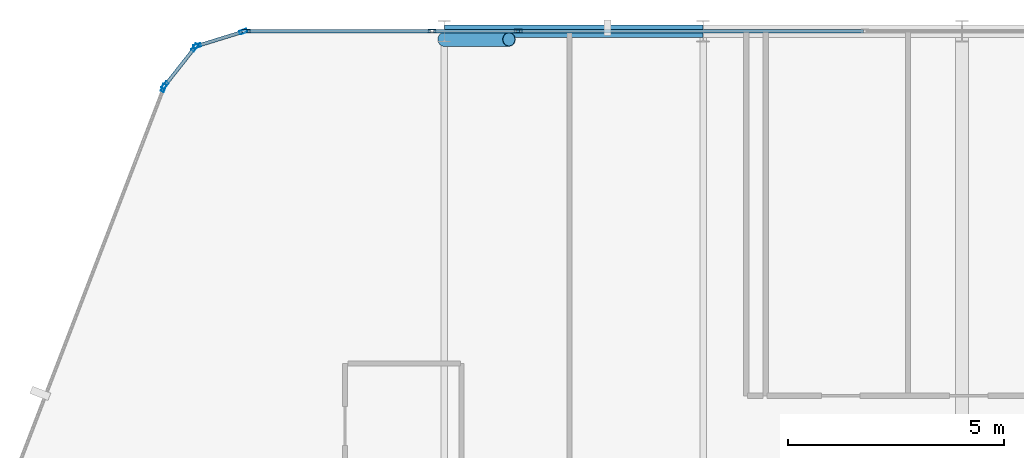
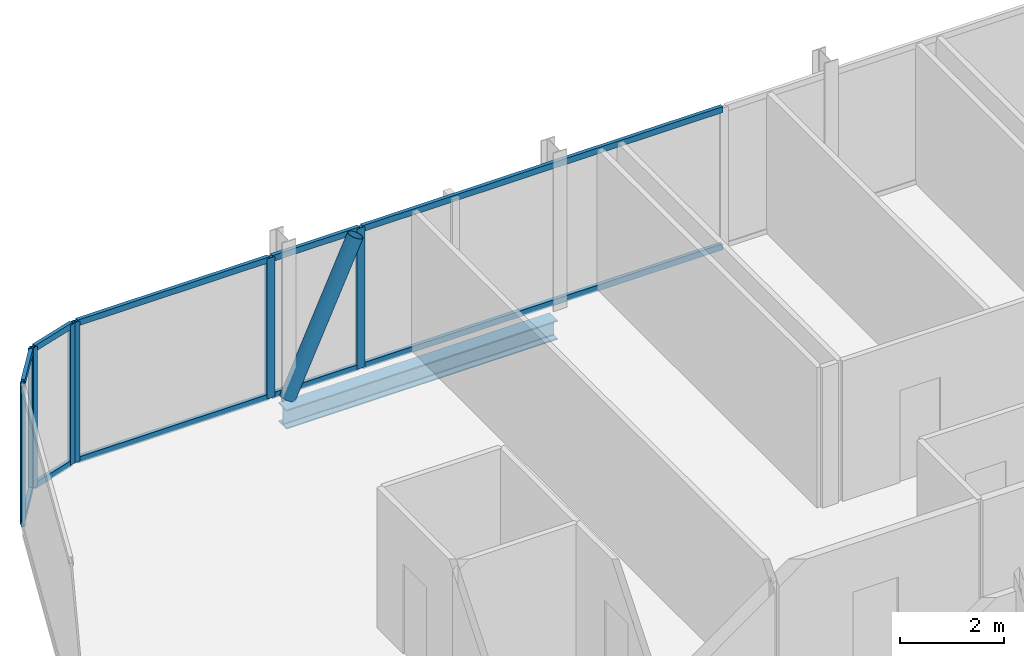
# One storey, part 17 of 31: 19 members, 1 beam, 6 elements without a shape of their own.
"""IFC4 building model written with IfcOpenShell, lengths in metres."""

from ifc_helpers import new_model, si_unit, direction, frame, origin, origin_2d, place, context, subcontext, project, spatial, hollow_rectangle, hollow_circle, i_section, extrude, material, layer, layer_set, material_profile, profile_set, type_object, element, aggregate, save


model = new_model("IFC4")

# Units and contexts
model_context = context("Model", 3, precision=1e-05, world=origin(), true_north=direction((0.0, 1.0)))
body_context = subcontext(model_context, "Body", "Model", "MODEL_VIEW")
ifc_project = project(units=[si_unit("LENGTHUNIT", "METRE"), si_unit("AREAUNIT", "SQUARE_METRE"), si_unit("VOLUMEUNIT", "CUBIC_METRE"), si_unit("PLANEANGLEUNIT", "RADIAN"), si_unit("MASSUNIT", "GRAM", prefix="KILO")], contexts=[model_context])

# Site, building, storey
site_placement = place(None, origin())
site = spatial("IfcSite", under=ifc_project, at=site_placement, CompositionType="ELEMENT")
building_placement = place(site_placement, origin())
building = spatial("IfcBuilding", under=site, at=building_placement, Name="Keshet Zoharim Tower", CompositionType="ELEMENT")
storey_placement = place(building_placement, frame((0.0, 0.0, 155.699951171875)))
storey = spatial("IfcBuildingStorey", under=building, at=storey_placement, Name="L38", CompositionType="ELEMENT", Elevation=155.699951171875)

# Beam
ifc_material_1 = material(Name="Steel S355", Category="steel")
ifc_material_profile_1 = material_profile(ifc_material_1, i_section(OverallWidth=0.300048828125, OverallDepth=0.449951171875, WebThickness=0.013916015625, FlangeThickness=0.02587890625, FilletRadius=0.027099609375, at=origin_2d()), Name="HEB450")
ifc_profile_set_1 = profile_set([ifc_material_profile_1], Name="Steel S355")
beam_type = type_object("IfcBeamType", Name="BM-WEB-HB450", PredefinedType="BEAM", material=ifc_profile_set_1)
beam_placement = place(storey_placement, frame((21.0, 53.89990234375, -0.5400390625), z_axis=(1.0, 0.0, 0.0), x_axis=(0.0, 1.0, 0.0)))
element("IfcBeam", 1, at=beam_placement, inside=storey, type_object=beam_type, Name="L38 Primary Girder X-020", PredefinedType="BEAM", context=body_context, shape_type="SweptSolid", body=[
    extrude(i_section(OverallWidth=0.300048828125, OverallDepth=0.449951171875, WebThickness=0.013916015625, FlangeThickness=0.02587890625, FilletRadius=0.027099609375, at=origin_2d()), origin(), (0.0, 0.0, 1.0), 6.0),
])

# Curtain wall, member
ifc_material_2 = material(Name="Aluminium 6063-T6", Category="aluminium")
ifc_layer = layer(ifc_material_2, 0.159912109375)
ifc_layer_set = layer_set([ifc_layer], Name="Aluminium 6063-T6")
curtain_wall_type = type_object("IfcCurtainWallType", Name="CW-SYS-03", PredefinedType="NOTDEFINED", material=ifc_layer_set)
curtain_wall_1_placement = place(storey_placement, origin())
curtain_wall_1 = element("IfcCurtainWall", 2, at=curtain_wall_1_placement, inside=storey, type_object=curtain_wall_type, Name="L38 Unitised Curtain Wall 10", PredefinedType="NOTDEFINED")
ifc_material_profile_2 = material_profile(ifc_material_2, hollow_rectangle(XDim=0.080078125, YDim=0.179931640625, WallThickness=0.00439453125, at=origin_2d()), Name="MUL-80x180")
ifc_profile_set_2 = profile_set([ifc_material_profile_2], Name="Aluminium 6063-T6")
member_type_1 = type_object("IfcMemberType", Name="CWM-M18", PredefinedType="MULLION", material=ifc_profile_set_2)
member_1_placement = place(storey_placement, frame((14.494384765625, 52.58544921875, 0.0), z_axis=(0.0, 0.0, 1.0), x_axis=(-0.933341404361, 0.358990003907, 0.0)))
member_1 = element("IfcMember", 3, at=member_1_placement, type_object=member_type_1, Name="CW-03 mullion 4", PredefinedType="MULLION", context=body_context, shape_type="SweptSolid", body=[
    extrude(hollow_rectangle(XDim=0.080078125, YDim=0.179931640625, WallThickness=0.00439453125, at=origin_2d()), origin(), (0.0, 0.0, 1.0), 3.280029296875),
])
aggregate(curtain_wall_1, [member_1])

# Curtain wall, members
curtain_wall_2_placement = place(storey_placement, origin())
curtain_wall_2 = element("IfcCurtainWall", 4, at=curtain_wall_2_placement, inside=storey, type_object=curtain_wall_type, Name="L38 Unitised Curtain Wall 11", PredefinedType="NOTDEFINED")
member_2_placement = place(storey_placement, frame((14.528564453125, 52.6455078125, 0.0), z_axis=(0.0, 0.0, 1.0), x_axis=(-0.785292825205, 0.619124525989, 0.0)))
member_2 = element("IfcMember", 5, at=member_2_placement, type_object=member_type_1, Name="CW-03 mullion 1", PredefinedType="MULLION", context=body_context, shape_type="SweptSolid", body=[
    extrude(hollow_rectangle(XDim=0.080078125, YDim=0.179931640625, WallThickness=0.00439453125, at=origin_2d()), origin(), (0.0, 0.0, 1.0), 3.280029296875),
])
member_3_placement = place(storey_placement, frame((15.21923828125, 53.521484375, 0.0), z_axis=(0.0, 0.0, 1.0), x_axis=(-0.785292825205, 0.619124525989, 0.0)))
member_3 = element("IfcMember", 6, at=member_3_placement, type_object=member_type_1, Name="CW-03 mullion 2", PredefinedType="MULLION", context=body_context, shape_type="SweptSolid", body=[
    extrude(hollow_rectangle(XDim=0.080078125, YDim=0.179931640625, WallThickness=0.00439453125, at=origin_2d()), origin(), (0.0, 0.0, 1.0), 3.280029296875),
])

curtain_wall_3_placement = place(storey_placement, origin())
curtain_wall_3 = element("IfcCurtainWall", 7, at=curtain_wall_3_placement, inside=storey, type_object=curtain_wall_type, Name="L38 Unitised Curtain Wall 12", PredefinedType="NOTDEFINED")
member_4_placement = place(storey_placement, frame((15.2744140625, 53.559326171875, 0.0), z_axis=(0.0, 0.0, 1.0), x_axis=(-0.295921857984, 0.955212151288, 0.0)))
member_4 = element("IfcMember", 8, at=member_4_placement, type_object=member_type_1, Name="CW-03 mullion 1", PredefinedType="MULLION", context=body_context, shape_type="SweptSolid", body=[
    extrude(hollow_rectangle(XDim=0.080078125, YDim=0.179931640625, WallThickness=0.00439453125, at=origin_2d()), origin(), (0.0, 0.0, 1.0), 3.280029296875),
])
member_5_placement = place(storey_placement, frame((16.340576171875, 53.8896484375, 0.0), z_axis=(0.0, 0.0, 1.0), x_axis=(-0.295921857984, 0.955212151288, 0.0)))
member_5 = element("IfcMember", 9, at=member_5_placement, type_object=member_type_1, Name="CW-03 mullion 2", PredefinedType="MULLION", context=body_context, shape_type="SweptSolid", body=[
    extrude(hollow_rectangle(XDim=0.080078125, YDim=0.179931640625, WallThickness=0.00439453125, at=origin_2d()), origin(), (0.0, 0.0, 1.0), 3.280029296875),
])

curtain_wall_4_placement = place(storey_placement, origin())
curtain_wall_4 = element("IfcCurtainWall", 10, at=curtain_wall_4_placement, inside=storey, type_object=curtain_wall_type, Name="L38 Unitised Curtain Wall 13", PredefinedType="NOTDEFINED")
member_6_placement = place(storey_placement, frame((16.408935546875, 53.89990234375, 0.0), z_axis=(0.0, 0.0, 1.0), x_axis=(0.0, 1.0, 0.0)))
member_6 = element("IfcMember", 11, at=member_6_placement, type_object=member_type_1, Name="CW-03 mullion 1", PredefinedType="MULLION", context=body_context, shape_type="SweptSolid", body=[
    extrude(hollow_rectangle(XDim=0.080078125, YDim=0.179931640625, WallThickness=0.00439453125, at=origin_2d()), origin(), (0.0, 0.0, 1.0), 3.280029296875),
])
member_7_placement = place(storey_placement, frame((20.7177734375, 53.89990234375, 0.0), z_axis=(0.0, 0.0, 1.0), x_axis=(0.0, 1.0, 0.0)))
member_7 = element("IfcMember", 12, at=member_7_placement, type_object=member_type_1, Name="CW-03 mullion 2", PredefinedType="MULLION", context=body_context, shape_type="SweptSolid", body=[
    extrude(hollow_rectangle(XDim=0.080078125, YDim=0.179931640625, WallThickness=0.00439453125, at=origin_2d()), origin(), (0.0, 0.0, 1.0), 3.280029296875),
])

# Curtain wall, member
curtain_wall_5_placement = place(storey_placement, origin())
curtain_wall_5 = element("IfcCurtainWall", 13, at=curtain_wall_5_placement, inside=storey, type_object=curtain_wall_type, Name="L38 Unitised Curtain Wall 13 Part 2", PredefinedType="NOTDEFINED")
member_8_placement = place(storey_placement, frame((22.71240234375, 53.89990234375, 0.0), z_axis=(0.0, 0.0, 1.0), x_axis=(0.0, 1.0, 0.0)))
member_8 = element("IfcMember", 14, at=member_8_placement, type_object=member_type_1, Name="CW-03 mullion 2", PredefinedType="MULLION", context=body_context, shape_type="SweptSolid", body=[
    extrude(hollow_rectangle(XDim=0.080078125, YDim=0.179931640625, WallThickness=0.00439453125, at=origin_2d()), origin(), (0.0, 0.0, 1.0), 3.280029296875),
])

# Member
ifc_material_profile_3 = material_profile(ifc_material_2, hollow_rectangle(XDim=0.080078125, YDim=0.139892578125, WallThickness=0.00390625, at=origin_2d()), Name="TRN-80x140")
ifc_profile_set_3 = profile_set([ifc_material_profile_3], Name="Aluminium 6063-T6")
member_type_2 = type_object("IfcMemberType", Name="CWT-T14", PredefinedType="USERDEFINED", material=ifc_profile_set_3)
member_9_placement = place(storey_placement, frame((14.55029296875, 52.6728515625, 0.03515625), z_axis=(0.619099165969, 0.78531281837, 0.0), x_axis=(-0.78531281837, 0.619099165969, 0.0)))
member_9 = element("IfcMember", 15, at=member_9_placement, type_object=member_type_2, Name="CW-03 transom 1.1", ObjectType="TRANSOM", PredefinedType="USERDEFINED", context=body_context, shape_type="SweptSolid", body=[
    extrude(hollow_rectangle(XDim=0.080078125, YDim=0.139892578125, WallThickness=0.00390625, at=origin_2d()), origin(), (0.0, 0.0, 1.0), 1.0458984375),
])

member_10_placement = place(storey_placement, frame((14.55029296875, 52.6728515625, 3.2451171875), z_axis=(0.619099165969, 0.78531281837, 0.0), x_axis=(-0.78531281837, 0.619099165969, 0.0)))
member_10 = element("IfcMember", 16, at=member_10_placement, type_object=member_type_2, Name="CW-03 transom 1.2", ObjectType="TRANSOM", PredefinedType="USERDEFINED", context=body_context, shape_type="SweptSolid", body=[
    extrude(hollow_rectangle(XDim=0.080078125, YDim=0.139892578125, WallThickness=0.00390625, at=origin_2d()), origin(), (0.0, 0.0, 1.0), 1.0458984375),
])

aggregate(curtain_wall_2, [member_2, member_3, member_9, member_10])

member_11_placement = place(storey_placement, frame((15.307861328125, 53.56982421875, 0.03515625), z_axis=(0.955212093062, 0.295922045933, 0.0), x_axis=(-0.295922045933, 0.955212093062, 0.0)))
member_11 = element("IfcMember", 17, at=member_11_placement, type_object=member_type_2, Name="CW-03 transom 1.1", ObjectType="TRANSOM", PredefinedType="USERDEFINED", context=body_context, shape_type="SweptSolid", body=[
    extrude(hollow_rectangle(XDim=0.080078125, YDim=0.139892578125, WallThickness=0.00390625, at=origin_2d()), origin(), (0.0, 0.0, 1.0), 1.046142578125),
])

member_12_placement = place(storey_placement, frame((15.307861328125, 53.56982421875, 3.2451171875), z_axis=(0.955212093062, 0.295922045933, 0.0), x_axis=(-0.295922045933, 0.955212093062, 0.0)))
member_12 = element("IfcMember", 18, at=member_12_placement, type_object=member_type_2, Name="CW-03 transom 1.2", ObjectType="TRANSOM", PredefinedType="USERDEFINED", context=body_context, shape_type="SweptSolid", body=[
    extrude(hollow_rectangle(XDim=0.080078125, YDim=0.139892578125, WallThickness=0.00390625, at=origin_2d()), origin(), (0.0, 0.0, 1.0), 1.046142578125),
])

aggregate(curtain_wall_3, [member_4, member_5, member_11, member_12])

member_13_placement = place(storey_placement, frame((16.444091796875, 53.89990234375, 0.03515625), z_axis=(1.0, 0.0, 0.0), x_axis=(0.0, 1.0, 0.0)))
member_13 = element("IfcMember", 19, at=member_13_placement, type_object=member_type_2, Name="CW-03 transom 1.1", ObjectType="TRANSOM", PredefinedType="USERDEFINED", context=body_context, shape_type="SweptSolid", body=[
    extrude(hollow_rectangle(XDim=0.080078125, YDim=0.139892578125, WallThickness=0.00390625, at=origin_2d()), origin(), (0.0, 0.0, 1.0), 4.238525390625),
])

member_14_placement = place(storey_placement, frame((16.444091796875, 53.89990234375, 3.2451171875), z_axis=(1.0, 0.0, 0.0), x_axis=(0.0, 1.0, 0.0)))
member_14 = element("IfcMember", 20, at=member_14_placement, type_object=member_type_2, Name="CW-03 transom 1.2", ObjectType="TRANSOM", PredefinedType="USERDEFINED", context=body_context, shape_type="SweptSolid", body=[
    extrude(hollow_rectangle(XDim=0.080078125, YDim=0.139892578125, WallThickness=0.00390625, at=origin_2d()), origin(), (0.0, 0.0, 1.0), 4.238525390625),
])

aggregate(curtain_wall_4, [member_6, member_7, member_13, member_14])

member_15_placement = place(storey_placement, frame((20.752685546875, 53.89990234375, 0.03515625), z_axis=(1.0, 0.0, 0.0), x_axis=(0.0, 1.0, 0.0)))
member_15 = element("IfcMember", 21, at=member_15_placement, type_object=member_type_2, Name="CW-03 transom 1.1", ObjectType="TRANSOM", PredefinedType="USERDEFINED", context=body_context, shape_type="SweptSolid", body=[
    extrude(hollow_rectangle(XDim=0.080078125, YDim=0.139892578125, WallThickness=0.00390625, at=origin_2d()), origin(), (0.0, 0.0, 1.0), 1.924560546875),
])

member_16_placement = place(storey_placement, frame((20.752685546875, 53.89990234375, 3.2451171875), z_axis=(1.0, 0.0, 0.0), x_axis=(0.0, 1.0, 0.0)))
member_16 = element("IfcMember", 22, at=member_16_placement, type_object=member_type_2, Name="CW-03 transom 1.2", ObjectType="TRANSOM", PredefinedType="USERDEFINED", context=body_context, shape_type="SweptSolid", body=[
    extrude(hollow_rectangle(XDim=0.080078125, YDim=0.139892578125, WallThickness=0.00390625, at=origin_2d()), origin(), (0.0, 0.0, 1.0), 1.924560546875),
])

aggregate(curtain_wall_5, [member_8, member_15, member_16])

# Curtain wall, members
curtain_wall_6_placement = place(storey_placement, origin())
curtain_wall_6 = element("IfcCurtainWall", 23, at=curtain_wall_6_placement, inside=storey, type_object=curtain_wall_type, Name="L38 Unitised Curtain Wall 13 Part 3", PredefinedType="NOTDEFINED")
member_17_placement = place(storey_placement, frame((22.747314453125, 53.89990234375, 0.03515625), z_axis=(1.0, 0.0, 0.0), x_axis=(0.0, 1.0, 0.0)))
member_17 = element("IfcMember", 24, at=member_17_placement, type_object=member_type_2, Name="CW-03 transom 1.1", ObjectType="TRANSOM", PredefinedType="USERDEFINED", context=body_context, shape_type="SweptSolid", body=[
    extrude(hollow_rectangle(XDim=0.080078125, YDim=0.139892578125, WallThickness=0.00390625, at=origin_2d()), origin(), (0.0, 0.0, 1.0), 7.9677734375),
])
member_18_placement = place(storey_placement, frame((22.747314453125, 53.89990234375, 3.2451171875), z_axis=(1.0, 0.0, 0.0), x_axis=(0.0, 1.0, 0.0)))
member_18 = element("IfcMember", 25, at=member_18_placement, type_object=member_type_2, Name="CW-03 transom 1.2", ObjectType="TRANSOM", PredefinedType="USERDEFINED", context=body_context, shape_type="SweptSolid", body=[
    extrude(hollow_rectangle(XDim=0.080078125, YDim=0.139892578125, WallThickness=0.00390625, at=origin_2d()), origin(), (0.0, 0.0, 1.0), 7.9677734375),
])
aggregate(curtain_wall_6, [member_17, member_18])

# Member
ifc_material_profile_4 = material_profile(ifc_material_1, hollow_circle(Radius=0.161865234375, WallThickness=0.012451171875, at=origin_2d()), Name="CHS323x12.5")
ifc_profile_set_4 = profile_set([ifc_material_profile_4], Name="Steel S355")
member_type_3 = type_object("IfcMemberType", Name="MB-BR-C323", PredefinedType="BRACE", material=ifc_profile_set_4)
member_19_placement = place(storey_placement, frame((21.0, 53.7099609375, 0.0), z_axis=(0.415887731958, 0.0, 0.909415963356), x_axis=(0.0, 1.0, 0.0)))
element("IfcMember", 26, at=member_19_placement, inside=storey, type_object=member_type_3, Name="L38 Perimeter Tube Brace 02", PredefinedType="BRACE", context=body_context, shape_type="SweptSolid", body=[
    extrude(hollow_circle(Radius=0.161865234375, WallThickness=0.012451171875, at=origin_2d()), origin(), (0.0, 0.0, 1.0), 3.606689453125),
])

save(model, "model.ifc")
